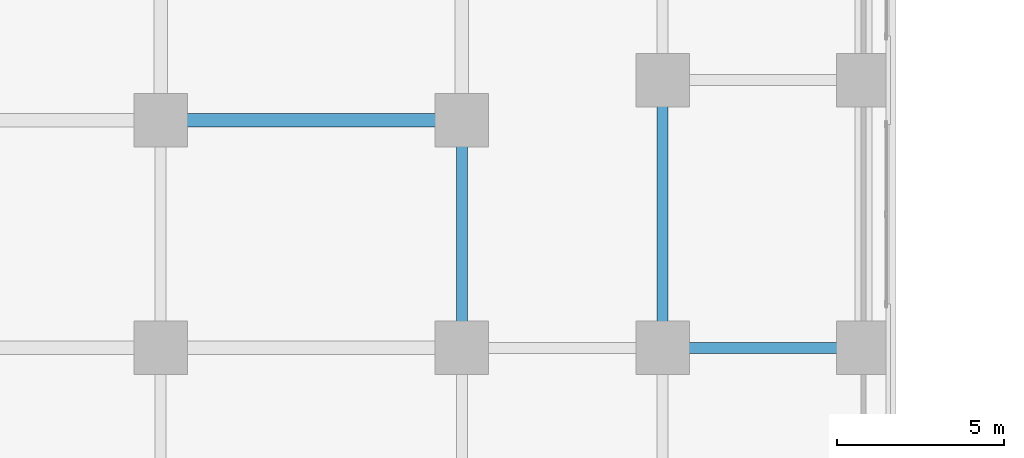
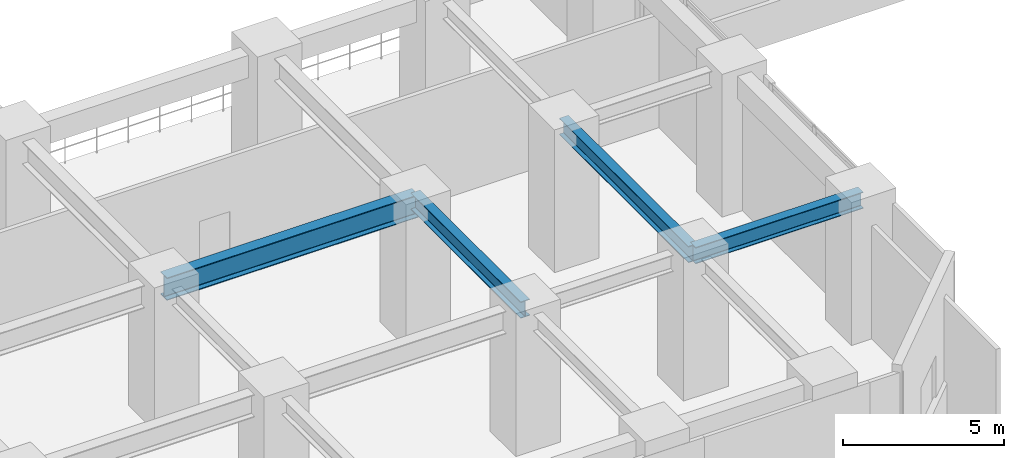
# One storey, part 10 of 33: 4 beams.
"""IFC4 building model written with IfcOpenShell, lengths in metres."""

from ifc_helpers import new_model, si_unit, direction, frame, origin, origin_2d, place, context, subcontext, project, spatial, i_section, extrude, source, transform, mapped, material, material_profile, profile_set, type_object, element, save


model = new_model("IFC4")

# Units and contexts
model_context = context("Model", 3, precision=1e-05, world=origin(), true_north=direction((0.0, 1.0)))
body_context = subcontext(model_context, "Body", "Model", "MODEL_VIEW")
ifc_project = project(units=[si_unit("LENGTHUNIT", "METRE"), si_unit("AREAUNIT", "SQUARE_METRE"), si_unit("VOLUMEUNIT", "CUBIC_METRE"), si_unit("PLANEANGLEUNIT", "RADIAN"), si_unit("MASSUNIT", "GRAM", prefix="KILO")], contexts=[model_context])

# Site, building, storey
site_placement = place(None, origin())
site = spatial("IfcSite", under=ifc_project, at=site_placement, CompositionType="ELEMENT")
building_placement = place(site_placement, origin())
building = spatial("IfcBuilding", under=site, at=building_placement, Name="Torre Montelarca", CompositionType="ELEMENT")
storey_placement = place(building_placement, frame((0.0, 0.0, 12.0)))
storey = spatial("IfcBuildingStorey", under=building, at=storey_placement, Name="L03", CompositionType="ELEMENT", Elevation=12.0)

# Beams
ifc_material = material(Name="Steel ASTM A992 Grade 50", Category="steel")
ifc_material_profile_1 = material_profile(ifc_material, i_section(OverallWidth=0.39990234375, OverallDepth=0.85498046875, WebThickness=0.018310546875, FlangeThickness=0.029296875, FilletRadius=0.02001953125, at=origin_2d()), Name="W840X299", Category="steel")
ifc_profile_set_1 = profile_set([ifc_material_profile_1], Name="Steel ASTM A992 Grade 50")
beam_type_1 = type_object("IfcBeamType", Name="BM-G-W840", PredefinedType="BEAM", material=ifc_profile_set_1)
shared_shape_1 = source(origin(), body_context, "Body", "SweptSolid", [
    extrude(i_section(OverallWidth=0.39990234375, OverallDepth=0.85498046875, WebThickness=0.018310546875, FlangeThickness=0.029296875, FilletRadius=0.02001953125, at=origin_2d()), origin(), (0.0, 0.0, 1.0), 9.0),
])
beam_1_placement = place(storey_placement, frame((27.0, 14.800048828125, 4.7119140625), z_axis=(1.0, 0.0, 0.0), x_axis=(0.0, 1.0, 0.0)))
element("IfcBeam", 1, at=beam_1_placement, inside=storey, type_object=beam_type_1, Name="L03 Grid Girder X 27.0-36.0 at Y=14.8", PredefinedType="BEAM", context=body_context, shape_type="MappedRepresentation", body=[
    mapped(shared_shape_1, transform((0.0, 0.0, 0.0), scale=1.0)),
])
ifc_material_profile_2 = material_profile(ifc_material, i_section(OverallWidth=0.326904296875, OverallDepth=0.6220703125, WebThickness=0.015380859375, FlangeThickness=0.0244140625, FilletRadius=0.014892578125, at=origin_2d()), Name="W610X195", Category="steel")
ifc_profile_set_2 = profile_set([ifc_material_profile_2], Name="Steel ASTM A992 Grade 50")
beam_type_2 = type_object("IfcBeamType", Name="BM-G-W610H", PredefinedType="BEAM", material=ifc_profile_set_2)
shared_shape_2 = source(origin(), body_context, "Body", "SweptSolid", [
    extrude(i_section(OverallWidth=0.326904296875, OverallDepth=0.6220703125, WebThickness=0.015380859375, FlangeThickness=0.0244140625, FilletRadius=0.014892578125, at=origin_2d()), origin(), (0.0, 0.0, 1.0), 6.0),
])
beam_2_placement = place(storey_placement, frame((42.0, 8.0, 4.8291015625), z_axis=(1.0, 0.0, 0.0), x_axis=(0.0, 1.0, 0.0)))
element("IfcBeam", 2, at=beam_2_placement, inside=storey, type_object=beam_type_2, Name="L03 Grid Girder X 42.0-48.0 at Y=8.0", PredefinedType="BEAM", context=body_context, shape_type="MappedRepresentation", body=[
    mapped(shared_shape_2, transform((0.0, 0.0, 0.0), scale=1.0)),
])
shared_shape_3 = source(origin(), body_context, "Body", "SweptSolid", [
    extrude(i_section(OverallWidth=0.326904296875, OverallDepth=0.6220703125, WebThickness=0.015380859375, FlangeThickness=0.0244140625, FilletRadius=0.014892578125, at=origin_2d()), origin(), (0.0, 0.0, 1.0), 8.0),
])
beam_3_placement = place(storey_placement, frame((42.0, 8.0, 4.8291015625), z_axis=(0.0, 1.0, 0.0), x_axis=(-1.0, 0.0, 0.0)))
element("IfcBeam", 3, at=beam_3_placement, inside=storey, type_object=beam_type_2, Name="L03 Grid Girder Y 8.0-16.0 at X=42.0", PredefinedType="BEAM", context=body_context, shape_type="MappedRepresentation", body=[
    mapped(shared_shape_3, transform((0.0, 0.0, 0.0), scale=1.0)),
])
shared_shape_4 = source(origin(), body_context, "Body", "SweptSolid", [
    extrude(i_section(OverallWidth=0.326904296875, OverallDepth=0.6220703125, WebThickness=0.015380859375, FlangeThickness=0.0244140625, FilletRadius=0.014892578125, at=origin_2d()), origin(), (0.0, 0.0, 1.0), 6.800048828125),
])
beam_4_placement = place(storey_placement, frame((36.0, 8.0, 4.8291015625), z_axis=(0.0, 1.0, 0.0), x_axis=(-1.0, 0.0, 0.0)))
element("IfcBeam", 4, at=beam_4_placement, inside=storey, type_object=beam_type_2, Name="L03 Grid Girder Y 8.0-14.8 at X=36.0", PredefinedType="BEAM", context=body_context, shape_type="MappedRepresentation", body=[
    mapped(shared_shape_4, transform((0.0, 0.0, 0.0), scale=1.0)),
])

save(model, "model.ifc")
